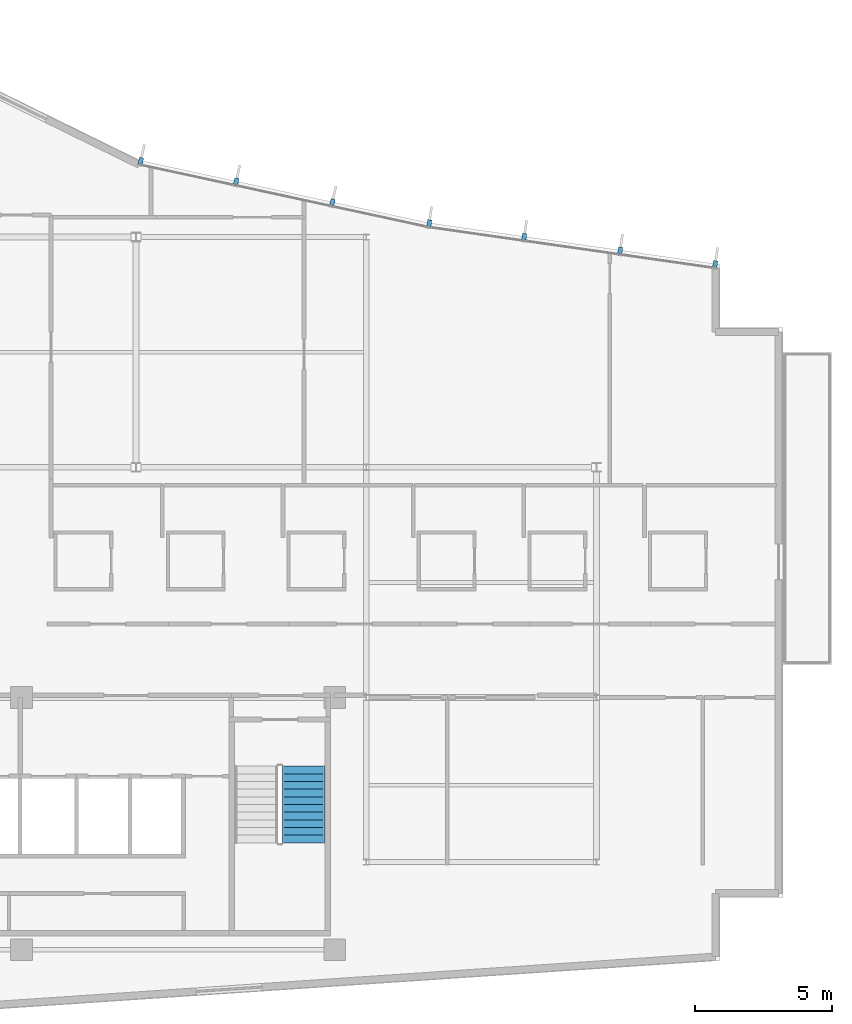
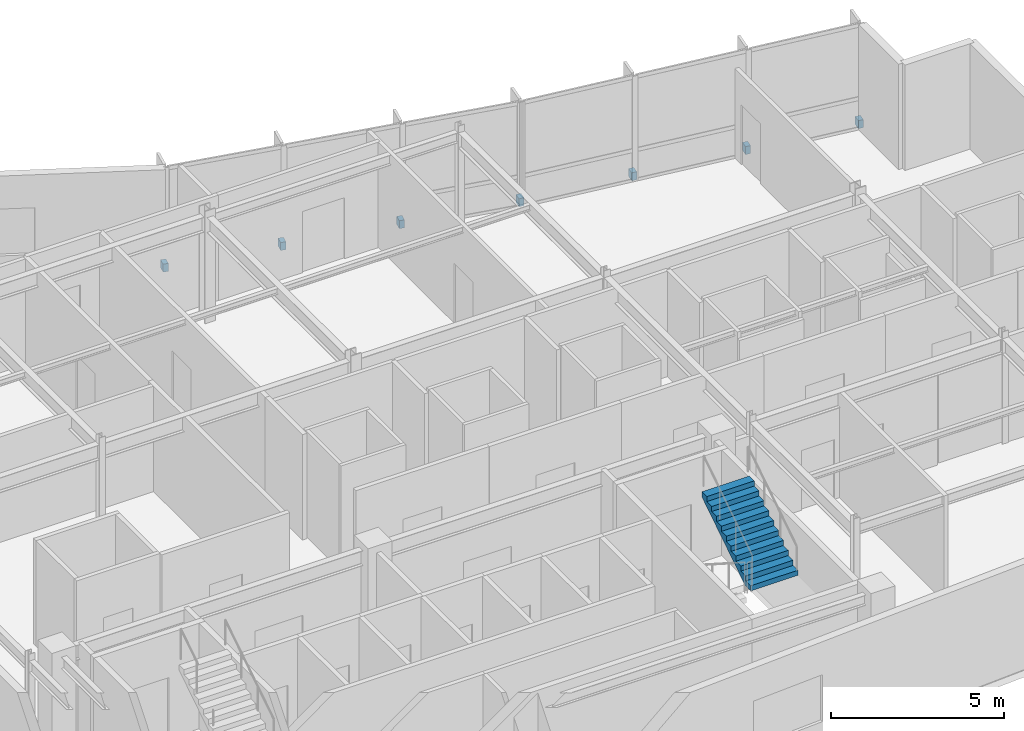
# One storey, part 13 of 16: 7 discrete accessories, 1 stair flight, 1 element without a shape of its own.
"""IFC4 building model written with IfcOpenShell, lengths in metres."""

from ifc_helpers import new_model, si_unit, direction, frame, origin, origin_2d, place, context, subcontext, project, spatial, polyline, rectangle, outline, extrude, material, layer, layer_set, type_object, element, aggregate, save


model = new_model("IFC4")

# Units and contexts
model_context = context("Model", 3, precision=1e-05, world=origin(), true_north=direction((0.0, 1.0)))
body_context = subcontext(model_context, "Body", "Model", "MODEL_VIEW")
ifc_project = project(units=[si_unit("LENGTHUNIT", "METRE"), si_unit("AREAUNIT", "SQUARE_METRE"), si_unit("VOLUMEUNIT", "CUBIC_METRE"), si_unit("PLANEANGLEUNIT", "RADIAN"), si_unit("MASSUNIT", "GRAM", prefix="KILO")], contexts=[model_context])

# Site, building, storey
site_placement = place(None, origin())
site = spatial("IfcSite", under=ifc_project, at=site_placement, CompositionType="ELEMENT")
building_placement = place(site_placement, origin())
building = spatial("IfcBuilding", under=site, at=building_placement, Name="Varnakote Quay Hospital", CompositionType="ELEMENT")
storey_placement = place(building_placement, frame((0.0, 0.0, 296.050048828125)))
storey = spatial("IfcBuildingStorey", under=building, at=storey_placement, Name="L73", CompositionType="ELEMENT", Elevation=296.050048828125)

# Stair, stair flight
ifc_material_1 = material(Name="Concrete N40 (f'c 40 MPa)", Category="concrete")
stair_type = type_object("IfcStairType", Name="STR-CORE-1580", PredefinedType="HALF_TURN_STAIR", material=ifc_material_1)
stair_placement = place(storey_placement, origin())
stair = element("IfcStair", 1, at=stair_placement, inside=storey, type_object=stair_type, Name="L73 Fire-Isolated Exit Stair ST-02", PredefinedType="HALF_TURN_STAIR")
ifc_material_2 = material(Name="Concrete N40 (f'c 40 MPa)", Category="concrete")
ifc_layer = layer(ifc_material_2, 0.159912109375)
ifc_layer_set = layer_set([ifc_layer], Name="Concrete N40 (f'c 40 MPa)")
stair_flight_type = type_object("IfcStairFlightType", Name="FLT-CORE-1580", PredefinedType="STRAIGHT", material=ifc_layer_set)
stair_flight_placement = place(storey_placement, frame((22.909912109375, 6.699951171875, 1.974853515625), z_axis=(0.0, 0.0, 1.0), x_axis=(0.0, 1.0, 0.0)))
stair_flight = element("IfcStairFlight", 2, at=stair_flight_placement, type_object=stair_flight_type, Name="ST-02 flight 2", NumberOfRisers=11, NumberOfTreads=10, PredefinedType="STRAIGHT", RiserHeight=0.179545455, TreadLength=0.28, context=body_context, shape_type="SweptSolid", body=[
    extrude(outline(polyline([(0.0, 0.0), (0.0, 0.179443359375), (0.280029296875, 0.179443359375), (0.280029296875, 0.359130859375), (0.56005859375, 0.359130859375), (0.56005859375, 0.53857421875), (0.840087890625, 0.53857421875), (0.840087890625, 0.71826171875), (1.1201171875, 0.71826171875), (1.1201171875, 0.897705078125), (1.39990234375, 0.897705078125), (1.39990234375, 1.077392578125), (1.679931640625, 1.077392578125), (1.679931640625, 1.2568359375), (1.9599609375, 1.2568359375), (1.9599609375, 1.436279296875), (2.239990234375, 1.436279296875), (2.239990234375, 1.615966796875), (2.52001953125, 1.615966796875), (2.52001953125, 1.79541015625), (2.800048828125, 1.79541015625), (2.800048828125, 1.97509765625), (2.800048828125, 1.60546875), (0.296142578125, 0.0), (0.0, 0.0)])), frame((0.0, 0.7900390625, 0.0), z_axis=(0.0, -1.0, 0.0), x_axis=(1.0, 0.0, 0.0)), (0.0, 0.0, 1.0), 1.580078125),
])
aggregate(stair, [stair_flight])

# Discrete accessories
ifc_material_3 = material(Name="Anodised aluminium 6063-T6 Bronze", Category="aluminium")
discrete_accessory_type = type_object("IfcDiscreteAccessoryType", Name="ACC-FIN-BRACKET-180", PredefinedType="BRACKET", material=ifc_material_3)
for number, where, z_axis, x_axis, name in (
    (3, (37.92919921875, 27.814453125, 0.0), (0.0, 0.0, 1.0), (-0.989925048845, 0.141592364445, 0.0), "L73 Curtain Wall Fin Fixing Bracket"),
    (4, (34.46240234375, 28.310302734375, 0.0), (0.0, 0.0, 1.0), (-0.989925048845, 0.141592364445, 0.0), "L73 Curtain Wall Fin Fixing Bracket"),
    (5, (30.963623046875, 28.810546875, 0.0), (0.0, 0.0, 1.0), (-0.989925048845, 0.141592364445, 0.0), "L73 Curtain Wall Fin Fixing Bracket"),
    (6, (27.4970703125, 29.306396484375, 0.0), (0.0, 0.0, 1.0), (-0.989925048845, 0.141592364445, 0.0), "L73 Curtain Wall Fin Fixing Bracket"),
    (7, (23.9658203125, 30.068115234375, 0.0), (0.0, 0.0, 1.0), (-0.977415894286, 0.211324796455, 0.0), "L73 Curtain Wall Fin Fixing Bracket"),
    (8, (20.456298828125, 30.8271484375, 0.0), (0.0, 0.0, 1.0), (-0.977415894286, 0.211324796455, 0.0), "L73 Curtain Wall Fin Fixing Bracket"),
    (9, (16.978515625, 31.579345703125, 0.0), (0.0, 0.0, 1.0), (-0.977415894286, 0.211324796455, 0.0), "L73 Curtain Wall Fin Fixing Bracket"),
):
    element("IfcDiscreteAccessory", number, at=place(storey_placement, frame(where, z_axis=z_axis, x_axis=x_axis)), inside=storey, type_object=discrete_accessory_type, Name=name, PredefinedType="BRACKET", context=body_context, shape_type="SweptSolid", body=[
        extrude(rectangle(XDim=0.159912109375, YDim=0.239990234375, at=origin_2d()), origin(), (0.0, 0.0, 1.0), 0.280029296875),
    ])

save(model, "model.ifc")
